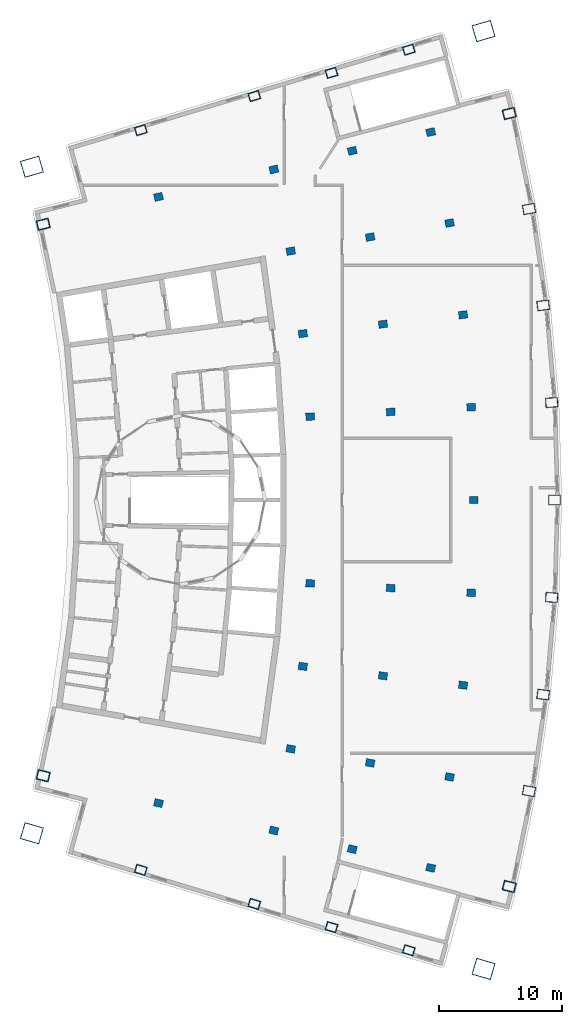
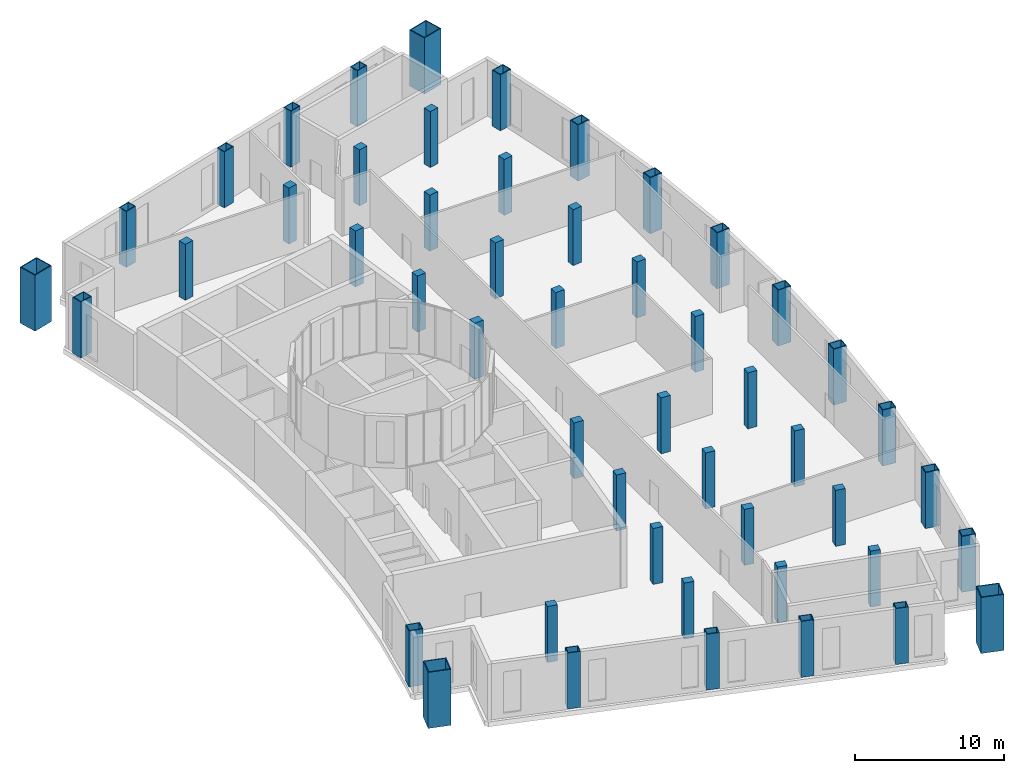
# One storey, part 1 of 9: 50 columns.
"""IFC4 building model written with IfcOpenShell, lengths in metres."""

import ifcopenshell
import ifcopenshell.guid

model = None  # the IFC model being written
_history = None  # IfcOwnerHistory: only IFC2X3 demands one
_inside = {}  # id of a spatial element -> (the spatial element, [elements in it])
_under = {}  # id of a project, library or spatial element -> (it, [spatial elements below it])
_declared = {}  # id of a project -> (the project, [libraries it declares])
_typed = {}  # id of a type object -> (the type object, [elements of that type])
_made_of = {}  # id of a material, layer set ... -> (it, [elements and type objects made of it])


def new_model(schema):
    """Start an empty IFC model of exactly this schema.

    Asked for "IFC4X3", IfcOpenShell would pick the latest addendum, in which some entities
    have other attributes; the version numbers below select the first issue.
    IFC2X3 requires an IfcOwnerHistory on every rooted entity: one is made here for all.
    """
    global model, _history
    if schema == "IFC4X3":
        model = ifcopenshell.file(schema_version=(4, 3, 0, 0))
    else:
        model = ifcopenshell.file(schema=schema)
    _inside.clear()
    _under.clear()
    _declared.clear()
    _typed.clear()
    _made_of.clear()
    _history = None
    if model.schema == "IFC2X3":
        org = make("IfcOrganization", Name="unknown")
        user = make(
            "IfcPersonAndOrganization",
            ThePerson=make("IfcPerson", FamilyName="unknown"),
            TheOrganization=org,
        )
        app = make(
            "IfcApplication",
            ApplicationDeveloper=org,
            Version="unknown",
            ApplicationFullName="unknown",
            ApplicationIdentifier="unknown",
        )
        _history = make(
            "IfcOwnerHistory",
            OwningUser=user,
            OwningApplication=app,
            ChangeAction="ADDED",
            CreationDate=0,
        )
    return model


def make(cls, **values):
    """One entity of the class cls with the attributes given. An attribute that is None is left unset."""
    return model.create_entity(
        cls, **{name: value for name, value in values.items() if value is not None}
    )


def rooted(cls, **values):
    """An entity with a GlobalId (a new one), such as an element, a storey or a relation."""
    return make(cls, GlobalId=ifcopenshell.guid.new(), OwnerHistory=_history, **values)


def si_unit(unit_type, name, prefix=None):
    """IfcSIUnit, for example si_unit("LENGTHUNIT", "METRE", prefix="MILLI")."""
    return make("IfcSIUnit", UnitType=unit_type, Prefix=prefix, Name=name)


def assignment(units):
    """IfcUnitAssignment: the units of a project."""
    return None if units is None else make("IfcUnitAssignment", Units=units)


def point(xyz):
    """IfcCartesianPoint."""
    return None if xyz is None else make("IfcCartesianPoint", Coordinates=xyz)


def direction(xyz):
    """IfcDirection."""
    return None if xyz is None else make("IfcDirection", DirectionRatios=xyz)


def frame(location, z_axis=None, x_axis=None):
    """IfcAxis2Placement3D, a coordinate frame: its origin and axes. An axis left out is left unset."""
    return make(
        "IfcAxis2Placement3D",
        Location=point(location),
        Axis=direction(z_axis),
        RefDirection=direction(x_axis),
    )


def frame_2d(location, x_axis=None):
    """IfcAxis2Placement2D, a coordinate frame in the plane: its origin and x axis."""
    return make(
        "IfcAxis2Placement2D", Location=point(location), RefDirection=direction(x_axis)
    )


def origin():
    """The frame at (0, 0, 0) with its axes left unset."""
    return frame((0.0, 0.0, 0.0))


def origin_2d():
    """The frame at (0, 0) in the plane with its x axis left unset."""
    return frame_2d((0.0, 0.0))


def place(relative_to, where):
    """IfcLocalPlacement: puts the frame where relative to a parent placement (None: the world)."""
    return make(
        "IfcLocalPlacement", PlacementRelTo=relative_to, RelativePlacement=where
    )


def context(
    kind, dimensions, precision=None, world=None, true_north=None, identifier=None
):
    """IfcGeometricRepresentationContext, for example the 3D "Model" context."""
    return make(
        "IfcGeometricRepresentationContext",
        ContextIdentifier=identifier,
        ContextType=kind,
        CoordinateSpaceDimension=dimensions,
        Precision=precision,
        WorldCoordinateSystem=world,
        TrueNorth=true_north,
    )


def subcontext(parent, identifier, kind, view, scale=None):
    """IfcGeometricRepresentationSubContext, for example "Body" below "Model"."""
    return make(
        "IfcGeometricRepresentationSubContext",
        ContextIdentifier=identifier,
        ContextType=kind,
        ParentContext=parent,
        TargetScale=scale,
        TargetView=view,
    )


def project(units=None, contexts=None):
    """IfcProject with its units and contexts."""
    return rooted(
        "IfcProject",
        Name="project",
        RepresentationContexts=contexts,
        UnitsInContext=assignment(units),
    )


def spatial(cls, under=None, at=None, **own):
    """A site, building, storey or space (cls), placed at a placement, below another one or the project."""
    s = rooted(cls, ObjectPlacement=at, **own)
    if under is not None:
        _under.setdefault(under.id(), (under, []))[1].append(s)
    return s


def profile(cls, at=None, kind="AREA", **sizes):
    """A parametric profile (cls). Its sizes go by their IFC names, for example OverallWidth=200.0."""
    return make(cls, ProfileType=kind, Position=at, **sizes)


def rectangle(**sizes):
    """IfcRectangleProfileDef."""
    return profile("IfcRectangleProfileDef", **sizes)


def hollow_rectangle(**sizes):
    """IfcRectangleHollowProfileDef."""
    return profile("IfcRectangleHollowProfileDef", **sizes)


def extrude(swept, where, along, depth):
    """IfcExtrudedAreaSolid: the profile swept, set in the frame where, extruded along a direction by depth."""
    return make(
        "IfcExtrudedAreaSolid",
        SweptArea=swept,
        Position=where,
        ExtrudedDirection=direction(along),
        Depth=depth,
    )


def shape(context_of_items, identifier, shape_type, items):
    """IfcShapeRepresentation: the items that make up one representation, for example the "Body"."""
    return make(
        "IfcShapeRepresentation",
        ContextOfItems=context_of_items,
        RepresentationIdentifier=identifier,
        RepresentationType=shape_type,
        Items=items,
    )


def material(Name=None, Category=None):
    """IfcMaterial."""
    return make("IfcMaterial", Name=Name, Category=Category)


def material_profile(
    of_material, cross_section, Name=None, Category=None, Priority=None
):
    """IfcMaterialProfile: a cross section and its material."""
    return make(
        "IfcMaterialProfile",
        Name=Name,
        Material=of_material,
        Profile=cross_section,
        Priority=Priority,
        Category=Category,
    )


def profile_set(profiles, Name=None, composite=None):
    """IfcMaterialProfileSet."""
    return make(
        "IfcMaterialProfileSet",
        Name=Name,
        MaterialProfiles=profiles,
        CompositeProfile=composite,
    )


def made_of(thing, what):
    """Note that an element or type object is made of a material, layer set ...; save() writes the relation."""
    if what is not None:
        _made_of.setdefault(what.id(), (what, []))[1].append(thing)
    return thing


def type_object(cls, material=None, **own):
    """A type object (cls), such as IfcWallType, which elements share."""
    return made_of(rooted(cls, **own), material)


def element(
    cls,
    number,
    at=None,
    inside=None,
    cuts=None,
    type_object=None,
    material=None,
    context=None,
    identifier="Body",
    shape_type=None,
    held_by="IfcProductDefinitionShape",
    body=None,
    shapes=None,
    **own,
):
    """One element of the class cls, such as IfcWall. Its Tag is "e" and its number.

    at: its placement. inside: the storey or other place that contains it. cuts: it is an
    opening in that element (IfcRelVoidsElement). A single representation is given by context,
    identifier, shape_type and body (its items); several are given by shapes. held_by: the class
    of the entity that holds the representations. save() writes the other relations.
    """
    e = rooted(cls, Tag="e%d" % number, ObjectPlacement=at, **own)
    if body is not None:
        shapes = [shape(context, identifier, shape_type, body)]
    if shapes is not None:
        e.Representation = make(held_by, Representations=shapes)
    if inside is not None:
        _inside.setdefault(inside.id(), (inside, []))[1].append(e)
    if cuts is not None:
        rooted(
            "IfcRelVoidsElement", RelatingBuildingElement=cuts, RelatedOpeningElement=e
        )
    if type_object is not None:
        _typed.setdefault(type_object.id(), (type_object, []))[1].append(e)
    return made_of(e, material)


def aggregate(whole, parts):
    """IfcRelAggregates: a whole, such as a stair, and the parts it consists of."""
    return rooted("IfcRelAggregates", RelatingObject=whole, RelatedObjects=parts)


def save(model, path):
    """Write the relations noted so far, then the file.

    IfcRelAggregates (storeys below a building ...), IfcRelContainedInSpatialStructure (elements
    in a storey), IfcRelDefinesByType, IfcRelAssociatesMaterial and IfcRelDeclares: one each for
    every whole, place, type object, material and project.
    """
    for whole, parts in _under.values():
        aggregate(whole, parts)
    for where, things in _inside.values():
        rooted(
            "IfcRelContainedInSpatialStructure",
            RelatedElements=things,
            RelatingStructure=where,
        )
    for kind, things in _typed.values():
        rooted("IfcRelDefinesByType", RelatedObjects=things, RelatingType=kind)
    for what, things in _made_of.values():
        rooted("IfcRelAssociatesMaterial", RelatedObjects=things, RelatingMaterial=what)
    for by, libraries in _declared.values():
        rooted("IfcRelDeclares", RelatingContext=by, RelatedDefinitions=libraries)
    model.write(path)


model = new_model("IFC4")

# Units and contexts
model_context = context("Model", 3, precision=1e-05, world=origin(), true_north=direction((0.0, 1.0)))
body_context = subcontext(model_context, "Body", "Model", "MODEL_VIEW")
ifc_project = project(units=[si_unit("LENGTHUNIT", "METRE"), si_unit("AREAUNIT", "SQUARE_METRE"), si_unit("VOLUMEUNIT", "CUBIC_METRE"), si_unit("PLANEANGLEUNIT", "RADIAN"), si_unit("MASSUNIT", "GRAM", prefix="KILO")], contexts=[model_context])

# Site, building, storey
site_placement = place(None, origin())
site = spatial("IfcSite", under=ifc_project, at=site_placement, CompositionType="ELEMENT")
building_placement = place(site_placement, origin())
building = spatial("IfcBuilding", under=site, at=building_placement, Name="Alderwake Tower", CompositionType="ELEMENT")
storey_placement = place(building_placement, frame((0.0, 0.0, 310.0)))
storey = spatial("IfcBuildingStorey", under=building, at=storey_placement, Name="L75", CompositionType="ELEMENT", Elevation=310.0)

# Columns
ifc_material_1 = material(Name="Steel ASTM A572 Grade 50 concrete filled C70/85", Category="concrete")
ifc_material_profile_1 = material_profile(ifc_material_1, hollow_rectangle(XDim=0.699951171875, YDim=0.89990234375, WallThickness=0.050048828125, at=origin_2d()), Name="BOX 900X700X50")
ifc_profile_set_1 = profile_set([ifc_material_profile_1], Name="Steel ASTM A572 Grade 50 concrete filled C70/85")
column_type_1 = type_object("IfcColumnType", Name="End column Z5", PredefinedType="COLUMN", material=ifc_profile_set_1)
for number, where, z_axis, x_axis, name in (
    (1, (21.885498046875, 31.03759765625, 0.0), (0.0, 0.0, 1.0), (0.282132160283, 0.95937554906, 0.0), "Column R02-C1"),
    (2, (31.080322265625, 28.27685546875, 0.0), (0.0, 0.0, 1.0), (0.282582549822, 0.959242984095, 0.0), "Column R02-C2"),
    (3, (37.337890625, 26.398193359375, 0.0), (0.0, 0.0, 1.0), (0.282847061859, 0.959165022088, 0.0), "Column R02-C3"),
    (4, (43.59521484375, 24.51953125, 0.0), (0.0, 0.0, 1.0), (0.283086443451, 0.959094398656, 0.0), "Column R02-C4"),
    (5, (21.885498046875, 90.96240234375, 0.0), (0.0, 0.0, 1.0), (-0.282132160283, 0.95937554906, 0.0), "Column R12-C1"),
    (6, (31.080322265625, 93.72314453125, 0.0), (0.0, 0.0, 1.0), (-0.282582549822, 0.959242984095, 0.0), "Column R12-C2"),
    (7, (37.337890625, 95.601806640625, 0.0), (0.0, 0.0, 1.0), (-0.282847061859, 0.959165022088, 0.0), "Column R12-C3"),
    (8, (43.59521484375, 97.48046875, 0.0), (0.0, 0.0, 1.0), (-0.283086443451, 0.959094398656, 0.0), "Column R12-C4"),
):
    element("IfcColumn", number, at=place(storey_placement, frame(where, z_axis=z_axis, x_axis=x_axis)), inside=storey, type_object=column_type_1, Name=name, PredefinedType="COLUMN", context=body_context, shape_type="SweptSolid", body=[
        extrude(hollow_rectangle(XDim=0.699951171875, YDim=0.89990234375, WallThickness=0.050048828125, at=origin_2d()), origin(), (0.0, 0.0, 1.0), 4.60009765625),
    ])
ifc_material_2 = material(Name="Concrete C70/85", Category="concrete")
ifc_material_profile_2 = material_profile(ifc_material_2, rectangle(XDim=0.60009765625, YDim=0.699951171875, at=origin_2d()), Name="RC 700X600")
ifc_profile_set_2 = profile_set([ifc_material_profile_2], Name="Concrete C70/85")
column_type_2 = type_object("IfcColumnType", Name="Interior column Z5", PredefinedType="COLUMN", material=ifc_profile_set_2)
for number, where, z_axis, x_axis, name in (
    (9, (23.322021484375, 36.444091796875, 0.0), (0.0, 0.0, 1.0), (0.231221547198, 0.972901123502, 0.0), "Column R03-C1"),
    (10, (32.661865234375, 34.224609375, 0.0), (0.0, 0.0, 1.0), (0.231221547198, 0.972901123502, 0.0), "Column R03-C2"),
    (11, (39.018310546875, 32.7138671875, 0.0), (0.0, 0.0, 1.0), (0.231221547198, 0.972901123502, 0.0), "Column R03-C3"),
    (12, (45.37451171875, 31.203125, 0.0), (0.0, 0.0, 1.0), (0.231221547198, 0.972901123502, 0.0), "Column R03-C4"),
    (13, (34.03125, 40.83837890625, 0.0), (0.0, 0.0, 1.0), (0.174108800747, 0.984726421654, 0.0), "Column R04-C2"),
    (14, (40.46484375, 39.70068359375, 0.0), (0.0, 0.0, 1.0), (0.174108800747, 0.984726421654, 0.0), "Column R04-C3"),
    (15, (46.8984375, 38.563232421875, 0.0), (0.0, 0.0, 1.0), (0.174107082075, 0.984726725529, 0.0), "Column R04-C4"),
    (16, (35.0126953125, 47.5205078125, 0.0), (0.0, 0.0, 1.0), (0.116402054316, 0.993202175668, 0.0), "Column R05-C2"),
    (17, (41.501708984375, 46.760009765625, 0.0), (0.0, 0.0, 1.0), (0.116402054316, 0.993202175668, 0.0), "Column R05-C3"),
    (18, (47.99072265625, 45.99951171875, 0.0), (0.0, 0.0, 1.0), (0.116402054316, 0.993202175668, 0.0), "Column R05-C4"),
    (19, (35.60302734375, 54.248779296875, 0.0), (0.0, 0.0, 1.0), (0.058301061284, 0.998299046505, 0.0), "Column R06-C2"),
    (20, (42.125244140625, 53.867919921875, 0.0), (0.0, 0.0, 1.0), (0.058301061284, 0.998299046505, 0.0), "Column R06-C3"),
    (21, (48.6474609375, 53.487060546875, 0.0), (0.0, 0.0, 1.0), (0.058301061284, 0.998299046505, 0.0), "Column R06-C4"),
    (22, (48.86669921875, 61.0, 0.0), (0.0, 0.0, 1.0), (0.0, 1.0, 0.0), "Column R07-C4"),
    (23, (35.60302734375, 67.751220703125, 0.0), (0.0, 0.0, 1.0), (-0.058301061284, 0.998299046505, 0.0), "Column R08-C2"),
    (24, (42.125244140625, 68.132080078125, 0.0), (0.0, 0.0, 1.0), (-0.058301061284, 0.998299046505, 0.0), "Column R08-C3"),
    (25, (48.6474609375, 68.512939453125, 0.0), (0.0, 0.0, 1.0), (-0.058301061284, 0.998299046505, 0.0), "Column R08-C4"),
    (26, (35.0126953125, 74.4794921875, 0.0), (0.0, 0.0, 1.0), (-0.116402054316, 0.993202175668, 0.0), "Column R09-C2"),
    (27, (41.501708984375, 75.239990234375, 0.0), (0.0, 0.0, 1.0), (-0.116402054316, 0.993202175668, 0.0), "Column R09-C3"),
    (28, (47.99072265625, 76.00048828125, 0.0), (0.0, 0.0, 1.0), (-0.116402054316, 0.993202175668, 0.0), "Column R09-C4"),
    (29, (34.03125, 81.16162109375, 0.0), (0.0, 0.0, 1.0), (-0.174108800747, 0.984726421654, 0.0), "Column R10-C2"),
    (30, (40.46484375, 82.29931640625, 0.0), (0.0, 0.0, 1.0), (-0.174108800747, 0.984726421654, 0.0), "Column R10-C3"),
    (31, (46.8984375, 83.436767578125, 0.0), (0.0, 0.0, 1.0), (-0.174107082075, 0.984726725529, 0.0), "Column R10-C4"),
    (32, (23.322021484375, 85.555908203125, 0.0), (0.0, 0.0, 1.0), (-0.231221547198, 0.972901123502, 0.0), "Column R11-C1"),
    (33, (32.661865234375, 87.775390625, 0.0), (0.0, 0.0, 1.0), (-0.231221547198, 0.972901123502, 0.0), "Column R11-C2"),
    (34, (39.018310546875, 89.2861328125, 0.0), (0.0, 0.0, 1.0), (-0.231221547198, 0.972901123502, 0.0), "Column R11-C3"),
    (35, (45.37451171875, 90.796875, 0.0), (0.0, 0.0, 1.0), (-0.231221547198, 0.972901123502, 0.0), "Column R11-C4"),
):
    element("IfcColumn", number, at=place(storey_placement, frame(where, z_axis=z_axis, x_axis=x_axis)), inside=storey, type_object=column_type_2, Name=name, PredefinedType="COLUMN", context=body_context, shape_type="SweptSolid", body=[
        extrude(rectangle(XDim=0.60009765625, YDim=0.699951171875, at=origin_2d()), origin(), (0.0, 0.0, 1.0), 4.60009765625),
    ])
ifc_material_3 = material(Name="Steel ASTM A572 Grade 50 concrete filled C70/85", Category="concrete")
ifc_material_profile_3 = material_profile(ifc_material_3, hollow_rectangle(XDim=1.39990234375, YDim=1.60009765625, WallThickness=0.070068359375, at=origin_2d()), Name="BOX 1600X1400X70")
ifc_profile_set_3 = profile_set([ifc_material_profile_3], Name="Steel ASTM A572 Grade 50 concrete filled C70/85")
column_type_3 = type_object("IfcColumnType", Name="Mega column Z5", PredefinedType="COLUMN", material=ifc_profile_set_3)
for number, where, z_axis, x_axis, name in (
    (36, (13.06298828125, 34.00244140625, 0.0), (0.0, 0.0, 1.0), (0.278612301868, 0.960403657452, 0.0), "Column R02-C0"),
    (37, (49.6494140625, 23.01318359375, 0.0), (0.0, 0.0, 1.0), (0.281175922972, 0.959656240714, 0.0), "Column R02-C5"),
    (38, (13.06298828125, 87.99755859375, 0.0), (0.0, 0.0, 1.0), (-0.278612301868, 0.960403657452, 0.0), "Column R12-C0"),
    (39, (49.6494140625, 98.98681640625, 0.0), (0.0, 0.0, 1.0), (-0.281175922972, 0.959656240714, 0.0), "Column R12-C5"),
):
    element("IfcColumn", number, at=place(storey_placement, frame(where, z_axis=z_axis, x_axis=x_axis)), inside=storey, type_object=column_type_3, Name=name, PredefinedType="COLUMN", context=body_context, shape_type="SweptSolid", body=[
        extrude(hollow_rectangle(XDim=1.39990234375, YDim=1.60009765625, WallThickness=0.070068359375, at=origin_2d()), origin(), (0.0, 0.0, 1.0), 4.60009765625),
    ])
ifc_material_4 = material(Name="Steel ASTM A572 Grade 50 concrete filled C70/85", Category="concrete")
ifc_material_profile_4 = material_profile(ifc_material_4, hollow_rectangle(XDim=0.800048828125, YDim=1.0, WallThickness=0.054931640625, at=origin_2d()), Name="BOX 1000X800X55")
ifc_profile_set_4 = profile_set([ifc_material_profile_4], Name="Steel ASTM A572 Grade 50 concrete filled C70/85")
column_type_4 = type_object("IfcColumnType", Name="Perimeter column Z5", PredefinedType="COLUMN", material=ifc_profile_set_4)
for number, where, z_axis, x_axis, name in (
    (40, (13.982177734375, 38.6640625, 0.0), (0.0, 0.0, 1.0), (0.231221547198, 0.972901123502, 0.0), "Column R03-C0"),
    (41, (51.730712890625, 29.692626953125, 0.0), (0.0, 0.0, 1.0), (0.231221547198, 0.972901123502, 0.0), "Column R03-C5"),
    (42, (53.33203125, 37.42578125, 0.0), (0.0, 0.0, 1.0), (0.174107082075, 0.984726725529, 0.0), "Column R04-C5"),
    (43, (54.4794921875, 45.239013671875, 0.0), (0.0, 0.0, 1.0), (0.116402054316, 0.993202175668, 0.0), "Column R05-C5"),
    (44, (55.169677734375, 53.106201171875, 0.0), (0.0, 0.0, 1.0), (0.058301061284, 0.998299046505, 0.0), "Column R06-C5"),
    (45, (55.39990234375, 61.0, 0.0), (0.0, 0.0, 1.0), (0.0, 1.0, 0.0), "Column R07-C5"),
    (46, (55.169677734375, 68.893798828125, 0.0), (0.0, 0.0, 1.0), (-0.058301061284, 0.998299046505, 0.0), "Column R08-C5"),
    (47, (54.4794921875, 76.760986328125, 0.0), (0.0, 0.0, 1.0), (-0.116402054316, 0.993202175668, 0.0), "Column R09-C5"),
    (48, (53.33203125, 84.57421875, 0.0), (0.0, 0.0, 1.0), (-0.174107082075, 0.984726725529, 0.0), "Column R10-C5"),
    (49, (13.982177734375, 83.3359375, 0.0), (0.0, 0.0, 1.0), (-0.231221547198, 0.972901123502, 0.0), "Column R11-C0"),
    (50, (51.730712890625, 92.307373046875, 0.0), (0.0, 0.0, 1.0), (-0.231221547198, 0.972901123502, 0.0), "Column R11-C5"),
):
    element("IfcColumn", number, at=place(storey_placement, frame(where, z_axis=z_axis, x_axis=x_axis)), inside=storey, type_object=column_type_4, Name=name, PredefinedType="COLUMN", context=body_context, shape_type="SweptSolid", body=[
        extrude(hollow_rectangle(XDim=0.800048828125, YDim=1.0, WallThickness=0.054931640625, at=origin_2d()), origin(), (0.0, 0.0, 1.0), 4.60009765625),
    ])

save(model, "model.ifc")
